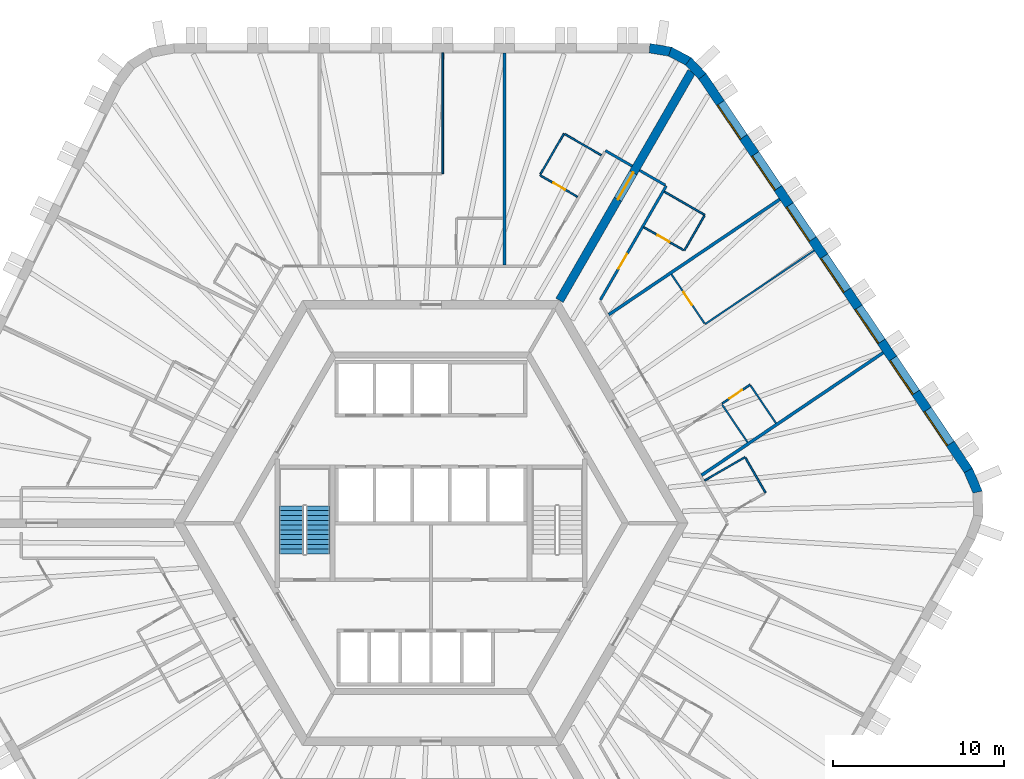
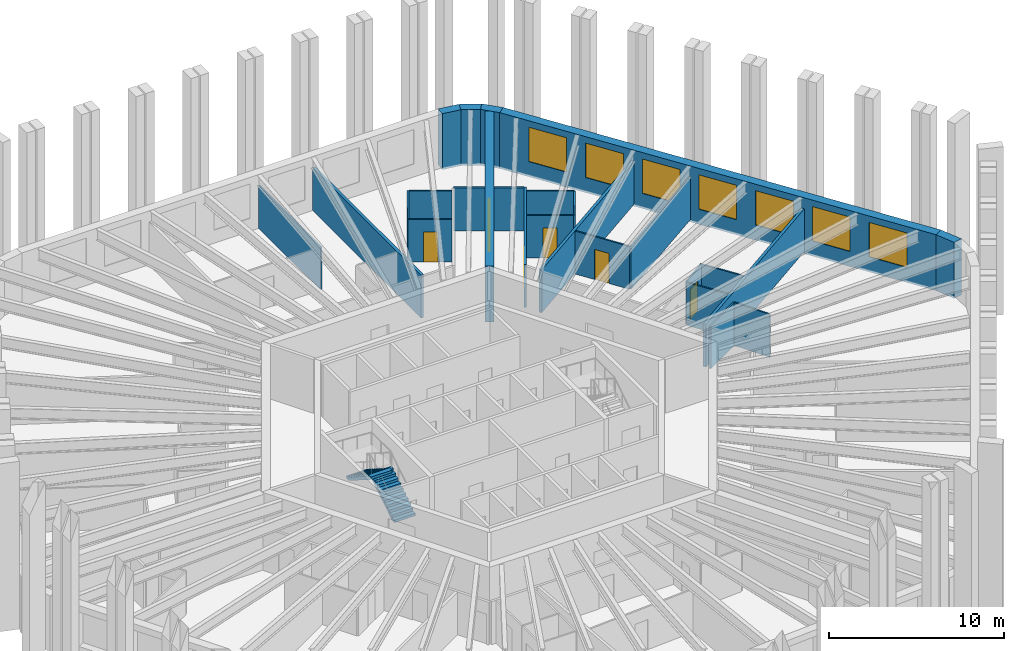
# One storey, part 9 of 11: 26 walls, 7 windows, 6 doors, 2 stair flights, 13 openings, 1 element without a shape of its own.
"""IFC4 building model written with IfcOpenShell, lengths in metres."""

from ifc_helpers import new_model, si_unit, direction, frame, frame_2d, origin, place, context, subcontext, project, spatial, polyline, rectangle, outline, extrude, material, layer, layer_set, type_object, element, fill, aggregate, save


model = new_model("IFC4")

# Units and contexts
model_context = context("Model", 3, precision=1e-05, world=origin(), true_north=direction((0.0, 1.0)))
body_context = subcontext(model_context, "Body", "Model", "MODEL_VIEW")
ifc_project = project(units=[si_unit("LENGTHUNIT", "METRE"), si_unit("AREAUNIT", "SQUARE_METRE"), si_unit("VOLUMEUNIT", "CUBIC_METRE"), si_unit("PLANEANGLEUNIT", "RADIAN"), si_unit("MASSUNIT", "GRAM", prefix="KILO")], contexts=[model_context])

# Site, building, storey
site_placement = place(None, origin())
site = spatial("IfcSite", under=ifc_project, at=site_placement, CompositionType="ELEMENT")
building_placement = place(site_placement, origin())
building = spatial("IfcBuilding", under=site, at=building_placement, Name="Tarnside Tower", CompositionType="ELEMENT")
storey_placement = place(building_placement, frame((0.0, 0.0, 183.89990234375)))
storey = spatial("IfcBuildingStorey", under=building, at=storey_placement, Name="L43", CompositionType="ELEMENT", Elevation=183.89990234375)

# Wall, opening, door
ifc_material_1 = material(Name="Gypsum board partition on steel studs", Category="steel")
ifc_layer_1 = layer(ifc_material_1, 0.10009765625)
ifc_layer_set_1 = layer_set([ifc_layer_1], Name="Bathroom wall 100")
wall_type_1 = type_object("IfcWallType", Name="Bathroom wall 100", PredefinedType="PARTITIONING", material=ifc_layer_set_1)
wall_1_placement = place(storey_placement, frame((8.546142578125, 19.052490234375, 0.0), z_axis=(0.0, 0.0, 1.0), x_axis=(-0.866039067339, 0.499976333282, 0.0)))
wall_1 = element("IfcWall", 1, at=wall_1_placement, inside=storey, type_object=wall_type_1, Name="Bathroom wall 14053", PredefinedType="PARTITIONING", context=body_context, shape_type="SweptSolid", body=[
    extrude(rectangle(XDim=2.52490234375, YDim=0.10009765625, at=frame_2d((1.262451171875, 0.0))), origin(), (0.0, 0.0, 1.0), 2.98779296875),
])
opening_1_placement = place(wall_1_placement, frame((0.824951171875, 0.0, 0.0)))
opening_1 = element("IfcOpeningElement", 2, at=opening_1_placement, cuts=wall_1, Name="Opening D-B1", PredefinedType="OPENING", context=body_context, shape_type="SweptSolid", body=[
    extrude(rectangle(XDim=0.800048828125, YDim=2.10009765625, at=frame_2d((0.39990234375, 1.050048828125))), frame((0.0, 0.06005859375, 0.0), z_axis=(0.0, -1.0, 0.0), x_axis=(1.0, 0.0, 0.0)), (0.0, 0.0, 1.0), 0.1201171875),
])
ifc_material_2 = material(Name="Timber door leaf", Category="wood")
door_type_1 = type_object("IfcDoorType", Name="Bathroom door 800", OperationType="NOTDEFINED", PredefinedType="DOOR", material=ifc_material_2)
door_1_placement = place(opening_1_placement, origin())
door_1 = element("IfcDoor", 3, at=door_1_placement, inside=storey, type_object=door_type_1, Name="Bathroom door 14002", OperationType="SINGLE_SWING_RIGHT", OverallHeight=2.10009765625, OverallWidth=0.800048828125, PredefinedType="DOOR", context=body_context, shape_type="SweptSolid", body=[
    extrude(rectangle(XDim=0.800048828125, YDim=2.10009765625, at=frame_2d((0.39990234375, 1.050048828125))), frame((0.0, 0.02490234375, 0.0), z_axis=(0.0, -1.0, 0.0), x_axis=(1.0, 0.0, 0.0)), (0.0, 0.0, 1.0), 0.050048828125),
])
fill(opening_1, door_1)

# Walls
wall_2_placement = place(storey_placement, frame((6.384521484375, 20.358154296875, 0.0), z_axis=(0.0, 0.0, 1.0), x_axis=(0.499996545922, 0.866027397988, 0.0)))
element("IfcWall", 4, at=wall_2_placement, inside=storey, type_object=wall_type_1, Name="Bathroom wall 14054", PredefinedType="PARTITIONING", context=body_context, shape_type="SweptSolid", body=[
    extrude(rectangle(XDim=2.75, YDim=0.10009765625, at=frame_2d((1.375, 0.0))), origin(), (0.0, 0.0, 1.0), 2.98779296875),
])
wall_3_placement = place(storey_placement, frame((7.802734375, 22.71484375, 0.0), z_axis=(0.0, 0.0, 1.0), x_axis=(0.866006523861, -0.500032699561, 0.0)))
element("IfcWall", 5, at=wall_3_placement, inside=storey, type_object=wall_type_1, Name="Bathroom wall 14055", PredefinedType="PARTITIONING", context=body_context, shape_type="SweptSolid", body=[
    extrude(rectangle(XDim=2.474853515625, YDim=0.10009765625, at=frame_2d((1.2373046875, 0.0))), origin(), (0.0, 0.0, 1.0), 2.98779296875),
])
wall_4_placement = place(storey_placement, frame((15.972900390625, 2.484375, 0.0), z_axis=(0.0, 0.0, 1.0), x_axis=(0.866051307416, 0.49995513091, 0.0)))
element("IfcWall", 6, at=wall_4_placement, inside=storey, type_object=wall_type_1, Name="Bathroom wall 14114", PredefinedType="PARTITIONING", context=body_context, shape_type="SweptSolid", body=[
    extrude(rectangle(XDim=2.724853515625, YDim=0.10009765625, at=frame_2d((1.3623046875, 0.0))), origin(), (0.0, 0.0, 1.0), 2.98779296875),
])
wall_5_placement = place(storey_placement, frame((18.357666015625, 3.803466796875, 0.0), z_axis=(0.0, 0.0, 1.0), x_axis=(0.500016218704, -0.866016039709, 0.0)))
element("IfcWall", 7, at=wall_5_placement, inside=storey, type_object=wall_type_1, Name="Bathroom wall 14115", PredefinedType="PARTITIONING", context=body_context, shape_type="SweptSolid", body=[
    extrude(rectangle(XDim=2.35009765625, YDim=0.10009765625, at=frame_2d((1.175048828125, 0.0))), origin(), (0.0, 0.0, 1.0), 2.98779296875),
])
wall_6_placement = place(storey_placement, frame((18.482666015625, 4.713134765625, 0.0), z_axis=(0.0, 0.0, 1.0), x_axis=(-0.559140201119, 0.829073118303, 0.0)))
element("IfcWall", 8, at=wall_6_placement, inside=storey, type_object=wall_type_1, Name="Bathroom wall 14126", PredefinedType="PARTITIONING", context=body_context, shape_type="SweptSolid", body=[
    extrude(rectangle(XDim=2.659912109375, YDim=0.10009765625, at=frame_2d((1.330078125, 0.0))), origin(), (0.0, 0.0, 1.0), 2.98779296875),
])
wall_7_placement = place(storey_placement, frame((13.626708984375, 19.352294921875, 0.0), z_axis=(0.0, 0.0, 1.0), x_axis=(0.866012511928, -0.500022328685, 0.0)))
element("IfcWall", 9, at=wall_7_placement, inside=storey, type_object=wall_type_1, Name="Bathroom wall 14128", PredefinedType="PARTITIONING", context=body_context, shape_type="SweptSolid", body=[
    extrude(rectangle(XDim=2.72509765625, YDim=0.10009765625, at=frame_2d((1.362548828125, 0.0))), origin(), (0.0, 0.0, 1.0), 2.98779296875),
])
wall_8_placement = place(storey_placement, frame((15.961669921875, 17.946533203125, 0.0), z_axis=(0.0, 0.0, 1.0), x_axis=(-0.500016218704, -0.866016039709, 0.0)))
element("IfcWall", 10, at=wall_8_placement, inside=storey, type_object=wall_type_1, Name="Bathroom wall 14129", PredefinedType="PARTITIONING", context=body_context, shape_type="SweptSolid", body=[
    extrude(rectangle(XDim=2.35009765625, YDim=0.10009765625, at=frame_2d((1.175048828125, 0.0))), origin(), (0.0, 0.0, 1.0), 2.98779296875),
])

# Wall, opening, door
wall_9_placement = place(storey_placement, frame((14.743408203125, 15.936279296875, 0.0), z_axis=(0.0, 0.0, 1.0), x_axis=(-0.86604424267, 0.499967368674, 0.0)))
wall_9 = element("IfcWall", 11, at=wall_9_placement, inside=storey, type_object=wall_type_1, Name="Bathroom wall 14130", PredefinedType="PARTITIONING", context=body_context, shape_type="SweptSolid", body=[
    extrude(rectangle(XDim=2.675048828125, YDim=0.10009765625, at=frame_2d((1.33740234375, 0.0))), origin(), (0.0, 0.0, 1.0), 2.98779296875),
])
opening_2_placement = place(wall_9_placement, frame((0.949951171875, 0.0, 0.0)))
opening_2 = element("IfcOpeningElement", 12, at=opening_2_placement, cuts=wall_9, Name="Opening D-B1", PredefinedType="OPENING", context=body_context, shape_type="SweptSolid", body=[
    extrude(rectangle(XDim=0.800048828125, YDim=2.10009765625, at=frame_2d((0.39990234375, 1.050048828125))), frame((0.0, 0.06005859375, 0.0), z_axis=(0.0, -1.0, 0.0), x_axis=(1.0, 0.0, 0.0)), (0.0, 0.0, 1.0), 0.1201171875),
])
door_2_placement = place(opening_2_placement, origin())
door_2 = element("IfcDoor", 13, at=door_2_placement, inside=storey, type_object=door_type_1, Name="Bathroom door 14038", OperationType="SINGLE_SWING_RIGHT", OverallHeight=2.10009765625, OverallWidth=0.800048828125, PredefinedType="DOOR", context=body_context, shape_type="SweptSolid", body=[
    extrude(rectangle(XDim=0.800048828125, YDim=2.10009765625, at=frame_2d((0.39990234375, 1.050048828125))), frame((0.0, 0.02490234375, 0.0), z_axis=(0.0, -1.0, 0.0), x_axis=(1.0, 0.0, 0.0)), (0.0, 0.0, 1.0), 0.050048828125),
])
fill(opening_2, door_2)

ifc_material_3 = material(Name="Concrete C70/85", Category="concrete")
ifc_layer_2 = layer(ifc_material_3, 0.5)
ifc_layer_set_2 = layer_set([ifc_layer_2], Name="Core wall Z2 500 C70/85")
wall_type_2 = type_object("IfcWallType", Name="Core wall Z2 500 C70/85", PredefinedType="SHEAR", material=ifc_layer_set_2)
wall_10_placement = place(storey_placement, frame((7.505615234375, 13.0, -0.14990234375), z_axis=(0.0, 0.0, 1.0), x_axis=(0.499988271576, 0.866032175087, 0.0)))
wall_10 = element("IfcWall", 14, at=wall_10_placement, inside=storey, type_object=wall_type_2, Name="L43 spine wall 1", PredefinedType="SHEAR", context=body_context, shape_type="SweptSolid", body=[
    extrude(rectangle(XDim=15.423583984375, YDim=0.5, at=frame_2d((7.7119140625, 0.0))), origin(), (0.0, 0.0, 1.0), 3.89990234375),
])
opening_3_placement = place(wall_10_placement, frame((6.811767578125, 0.0, 0.14990234375)))
opening_3 = element("IfcOpeningElement", 15, at=opening_3_placement, cuts=wall_10, Name="Opening CD-SPN", PredefinedType="OPENING", context=body_context, shape_type="SweptSolid", body=[
    extrude(rectangle(XDim=1.800048828125, YDim=2.39990234375, at=frame_2d((0.89990234375, 1.199951171875))), frame((0.0, 0.260009765625, 0.0), z_axis=(0.0, -1.0, 0.0), x_axis=(1.0, 0.0, 0.0)), (0.0, 0.0, 1.0), 0.52001953125),
])
ifc_material_4 = material(Name="Steel fire door", Category="steel")
door_type_2 = type_object("IfcDoorType", Name="Spine passage double door FD60 1800x2400", OperationType="NOTDEFINED", PredefinedType="DOOR", material=ifc_material_4)
door_3_placement = place(opening_3_placement, origin())
door_3 = element("IfcDoor", 16, at=door_3_placement, inside=storey, type_object=door_type_2, Name="L43 spine passage door 1", OperationType="DOUBLE_DOOR_SINGLE_SWING", OverallHeight=2.39990234375, OverallWidth=1.800048828125, PredefinedType="DOOR", context=body_context, shape_type="SweptSolid", body=[
    extrude(rectangle(XDim=1.800048828125, YDim=2.39990234375, at=frame_2d((0.89990234375, 1.199951171875))), frame((0.0, 0.02490234375, 0.0), z_axis=(0.0, -1.0, 0.0), x_axis=(1.0, 0.0, 0.0)), (0.0, 0.0, 1.0), 0.050048828125),
])
fill(opening_3, door_3)

# Wall
ifc_layer_3 = layer(ifc_material_1, 0.14990234375)
ifc_layer_set_3 = layer_set([ifc_layer_3], Name="Corridor wall 150 EI 60")
wall_type_3 = type_object("IfcWallType", Name="Corridor wall 150 EI 60", PredefinedType="PARTITIONING", material=ifc_layer_set_3)
wall_11_placement = place(storey_placement, frame((11.744873046875, 20.8427734375, 0.0), z_axis=(0.0, 0.0, 1.0), x_axis=(-0.865989075817, 0.500062916607, 0.0)))
element("IfcWall", 17, at=wall_11_placement, inside=storey, type_object=wall_type_3, Name="Corridor wall 14003", PredefinedType="PARTITIONING", context=body_context, shape_type="SweptSolid", body=[
    extrude(rectangle(XDim=1.800048828125, YDim=0.14990234375, at=frame_2d((0.89990234375, 0.0))), origin(), (0.0, 0.0, 1.0), 2.98779296875),
])

# Wall, opening, door
wall_12_placement = place(storey_placement, frame((9.88720703125, 13.02490234375, 0.0), z_axis=(0.0, 0.0, 1.0), x_axis=(0.499985955615, 0.866033512162, 0.0)))
wall_12 = element("IfcWall", 18, at=wall_12_placement, inside=storey, type_object=wall_type_3, Name="Corridor wall 14049", PredefinedType="PARTITIONING", context=body_context, shape_type="SweptSolid", body=[
    extrude(rectangle(XDim=7.699462890625, YDim=0.14990234375, at=frame_2d((3.849609375, 0.0))), origin(), (0.0, 0.0, 1.0), 2.98779296875),
])
opening_4_placement = place(wall_12_placement, frame((2.1064453125, 0.0, 0.0)))
opening_4 = element("IfcOpeningElement", 19, at=opening_4_placement, cuts=wall_12, Name="Opening D-E1", PredefinedType="OPENING", context=body_context, shape_type="SweptSolid", body=[
    extrude(rectangle(XDim=1.0, YDim=2.10009765625, at=frame_2d((0.5, 1.050048828125))), frame((0.0, 0.0849609375, 0.0), z_axis=(0.0, -1.0, 0.0), x_axis=(1.0, 0.0, 0.0)), (0.0, 0.0, 1.0), 0.169921875),
])
door_type_3 = type_object("IfcDoorType", Name="Unit entrance door 1000 FD30S", OperationType="NOTDEFINED", PredefinedType="DOOR", material=ifc_material_2)
door_4_placement = place(opening_4_placement, origin())
door_4 = element("IfcDoor", 20, at=door_4_placement, inside=storey, type_object=door_type_3, Name="Unit door 14037", OperationType="SINGLE_SWING_RIGHT", OverallHeight=2.10009765625, OverallWidth=1.0, PredefinedType="DOOR", context=body_context, shape_type="SweptSolid", body=[
    extrude(rectangle(XDim=1.0, YDim=2.10009765625, at=frame_2d((0.5, 1.050048828125))), frame((0.0, 0.02490234375, 0.0), z_axis=(0.0, -1.0, 0.0), x_axis=(1.0, 0.0, 0.0)), (0.0, 0.0, 1.0), 0.050048828125),
])
fill(opening_4, door_4)

# Walls
wall_13_placement = place(storey_placement, frame((13.671875, 19.73046875, 0.0), z_axis=(0.0, 0.0, 1.0), x_axis=(-0.866074815912, 0.499914405916, 0.0)))
element("IfcWall", 21, at=wall_13_placement, inside=storey, type_object=wall_type_3, Name="Corridor wall 14051", PredefinedType="PARTITIONING", context=body_context, shape_type="SweptSolid", body=[
    extrude(rectangle(XDim=1.724853515625, YDim=0.14990234375, at=frame_2d((0.8623046875, 0.0))), origin(), (0.0, 0.0, 1.0), 2.98779296875),
])
ifc_layer_4 = layer(ifc_material_1, 0.179931640625)
ifc_layer_set_4 = layer_set([ifc_layer_4], Name="Demising wall 180 EI 60")
wall_type_4 = type_object("IfcWallType", Name="Demising wall 180 EI 60", PredefinedType="PARTITIONING", material=ifc_layer_set_4)
wall_14_placement = place(storey_placement, frame((4.2822265625, 27.449951171875, 0.0), z_axis=(0.0, 0.0, 1.0), x_axis=(0.0, -1.0, 0.0)))
element("IfcWall", 22, at=wall_14_placement, inside=storey, type_object=wall_type_4, Name="Demising wall 14056", PredefinedType="PARTITIONING", context=body_context, shape_type="SweptSolid", body=[
    extrude(rectangle(XDim=12.375, YDim=0.179931640625, at=frame_2d((6.1875, 0.0))), origin(), (0.0, 0.0, 1.0), 2.98779296875),
])
wall_15_placement = place(storey_placement, frame((26.40185546875, 9.9462890625, 0.0), z_axis=(0.0, 0.0, 1.0), x_axis=(-0.829037771727, -0.559192608187, 0.0)))
element("IfcWall", 23, at=wall_15_placement, inside=storey, type_object=wall_type_4, Name="Demising wall 14117", PredefinedType="PARTITIONING", context=body_context, shape_type="SweptSolid", body=[
    extrude(rectangle(XDim=12.7939453125, YDim=0.179931640625, at=frame_2d((6.39697265625, 0.0))), origin(), (0.0, 0.0, 1.0), 2.98779296875),
])
wall_16_placement = place(storey_placement, frame((20.362548828125, 18.89990234375, 0.0), z_axis=(0.0, 0.0, 1.0), x_axis=(-0.829027307641, -0.559208121531, 0.0)))
element("IfcWall", 24, at=wall_16_placement, inside=storey, type_object=wall_type_4, Name="Demising wall 14125", PredefinedType="PARTITIONING", context=body_context, shape_type="SweptSolid", body=[
    extrude(rectangle(XDim=12.038818359375, YDim=0.179931640625, at=frame_2d((6.01953125, 0.0))), origin(), (0.0, 0.0, 1.0), 2.98779296875),
])
ifc_layer_5 = layer(ifc_material_1, 0.10009765625)
ifc_layer_set_5 = layer_set([ifc_layer_5], Name="Partition 100")
wall_type_5 = type_object("IfcWallType", Name="Partition 100", PredefinedType="PARTITIONING", material=ifc_layer_set_5)
wall_17_placement = place(storey_placement, frame((0.68212890625, 27.449951171875, 0.0), z_axis=(0.0, 0.0, 1.0), x_axis=(0.0, -1.0, 0.0)))
element("IfcWall", 25, at=wall_17_placement, inside=storey, type_object=wall_type_5, Name="Partition wall 14060", PredefinedType="PARTITIONING", context=body_context, shape_type="SweptSolid", body=[
    extrude(rectangle(XDim=7.050048828125, YDim=0.10009765625, at=frame_2d((3.52490234375, 0.0))), origin(), (0.0, 0.0, 1.0), 2.98779296875),
])

# Wall, opening, door
wall_18_placement = place(storey_placement, frame((17.0087890625, 6.98779296875, 0.0), z_axis=(0.0, 0.0, 1.0), x_axis=(0.828974932022, 0.559285760662, 0.0)))
wall_18 = element("IfcWall", 26, at=wall_18_placement, inside=storey, type_object=wall_type_5, Name="Partition wall 14121", PredefinedType="PARTITIONING", context=body_context, shape_type="SweptSolid", body=[
    extrude(rectangle(XDim=1.949951171875, YDim=0.10009765625, at=frame_2d((0.97509765625, 0.0))), origin(), (0.0, 0.0, 1.0), 2.98779296875),
])
opening_5_placement = place(wall_18_placement, frame((0.5, 0.0, 0.0)))
opening_5 = element("IfcOpeningElement", 27, at=opening_5_placement, cuts=wall_18, Name="Opening D-I1", PredefinedType="OPENING", context=body_context, shape_type="SweptSolid", body=[
    extrude(rectangle(XDim=0.89990234375, YDim=2.10009765625, at=frame_2d((0.449951171875, 1.050048828125))), frame((0.0, 0.06005859375, 0.0), z_axis=(0.0, -1.0, 0.0), x_axis=(1.0, 0.0, 0.0)), (0.0, 0.0, 1.0), 0.1201171875),
])
door_type_4 = type_object("IfcDoorType", Name="Internal door 900", OperationType="NOTDEFINED", PredefinedType="DOOR", material=ifc_material_2)
door_5_placement = place(opening_5_placement, origin())
door_5 = element("IfcDoor", 28, at=door_5_placement, inside=storey, type_object=door_type_4, Name="Internal door 14035", OperationType="SINGLE_SWING_RIGHT", OverallHeight=2.10009765625, OverallWidth=0.89990234375, PredefinedType="DOOR", context=body_context, shape_type="SweptSolid", body=[
    extrude(rectangle(XDim=0.89990234375, YDim=2.10009765625, at=frame_2d((0.449951171875, 1.050048828125))), frame((0.0, 0.02490234375, 0.0), z_axis=(0.0, -1.0, 0.0), x_axis=(1.0, 0.0, 0.0)), (0.0, 0.0, 1.0), 0.050048828125),
])
fill(opening_5, door_5)

# Walls
wall_19_placement = place(storey_placement, frame((18.6533203125, 8.036865234375, 0.0), z_axis=(0.0, 0.0, 1.0), x_axis=(0.559203284223, -0.829030570555, 0.0)))
element("IfcWall", 29, at=wall_19_placement, inside=storey, type_object=wall_type_5, Name="Partition wall 14122", PredefinedType="PARTITIONING", context=body_context, shape_type="SweptSolid", body=[
    extrude(rectangle(XDim=2.66015625, YDim=0.10009765625, at=frame_2d((1.330078125, 0.0))), origin(), (0.0, 0.0, 1.0), 2.98779296875),
])
wall_20_placement = place(storey_placement, frame((22.375732421875, 15.915283203125, 0.0), z_axis=(0.0, 0.0, 1.0), x_axis=(-0.829044752643, -0.559182258406, 0.0)))
element("IfcWall", 30, at=wall_20_placement, inside=storey, type_object=wall_type_5, Name="Partition wall 14123", PredefinedType="PARTITIONING", context=body_context, shape_type="SweptSolid", body=[
    extrude(rectangle(XDim=7.691650390625, YDim=0.10009765625, at=frame_2d((3.845703125, 0.0))), origin(), (0.0, 0.0, 1.0), 2.98779296875),
])

# Wall, opening, door
wall_21_placement = place(storey_placement, frame((15.97119140625, 11.65576171875, 0.0), z_axis=(0.0, 0.0, 1.0), x_axis=(-0.559202575539, 0.829031048581, 0.0)))
wall_21 = element("IfcWall", 31, at=wall_21_placement, inside=storey, type_object=wall_type_5, Name="Partition wall 14124", PredefinedType="PARTITIONING", context=body_context, shape_type="SweptSolid", body=[
    extrude(rectangle(XDim=3.4599609375, YDim=0.10009765625, at=frame_2d((1.72998046875, 0.0))), origin(), (0.0, 0.0, 1.0), 2.98779296875),
])
opening_6_placement = place(wall_21_placement, frame((1.300048828125, 0.0, 0.0)))
opening_6 = element("IfcOpeningElement", 32, at=opening_6_placement, cuts=wall_21, Name="Opening D-I1", PredefinedType="OPENING", context=body_context, shape_type="SweptSolid", body=[
    extrude(rectangle(XDim=0.89990234375, YDim=2.10009765625, at=frame_2d((0.449951171875, 1.050048828125))), frame((0.0, 0.06005859375, 0.0), z_axis=(0.0, -1.0, 0.0), x_axis=(1.0, 0.0, 0.0)), (0.0, 0.0, 1.0), 0.1201171875),
])
door_6_placement = place(opening_6_placement, origin())
door_6 = element("IfcDoor", 33, at=door_6_placement, inside=storey, type_object=door_type_4, Name="Internal door 14036", OperationType="SINGLE_SWING_LEFT", OverallHeight=2.10009765625, OverallWidth=0.89990234375, PredefinedType="DOOR", context=body_context, shape_type="SweptSolid", body=[
    extrude(rectangle(XDim=0.89990234375, YDim=2.10009765625, at=frame_2d((0.449951171875, 1.050048828125))), frame((0.0, 0.02490234375, 0.0), z_axis=(0.0, -1.0, 0.0), x_axis=(1.0, 0.0, 0.0)), (0.0, 0.0, 1.0), 0.050048828125),
])
fill(opening_6, door_6)

# Wall
ifc_material_5 = material(Name="Facing brick", Category="masonry")
ifc_layer_6 = layer(ifc_material_5, 0.10205078125)
ifc_material_6 = material(Name="Concrete C60/75 precast", Category="concrete")
ifc_layer_7 = layer(ifc_material_6, 0.347900390625)
ifc_material_7 = material(Name="Mineral wool insulation")
ifc_layer_8 = layer(ifc_material_7, 0.10009765625)
ifc_layer_set_6 = layer_set([ifc_layer_6, ifc_layer_7, ifc_layer_8], Name="Tube wall 550 brick faced")
wall_type_6 = type_object("IfcWallType", Name="Tube wall 550 brick faced", PredefinedType="SOLIDWALL", material=ifc_layer_set_6)
wall_22_placement = place(storey_placement, frame((31.91748046875, 1.804443359375, -0.14990234375), z_axis=(0.0, 0.0, 1.0), x_axis=(-0.396225741392, 0.918153125496, 0.0)))
element("IfcWall", 34, at=wall_22_placement, inside=storey, type_object=wall_type_6, Name="Tube wall L43 F5 chord 19", PredefinedType="SOLIDWALL", context=body_context, shape_type="SweptSolid", body=[
    extrude(outline(polyline([(-0.0517578125, -0.27490234375), (1.404541015625, -0.27490234375), (1.353271484375, 0.27490234375), (0.0517578125, 0.27490234375), (-0.0517578125, -0.27490234375)])), origin(), (0.0, 0.0, 1.0), 3.89990234375),
])

# Wall, openings, windows
wall_23_placement = place(storey_placement, frame((31.37109375, 3.070556640625, -0.14990234375), z_axis=(0.0, 0.0, 1.0), x_axis=(-0.559189891278, 0.829039604297, 0.0)))
wall_23 = element("IfcWall", 35, at=wall_23_placement, inside=storey, type_object=wall_type_6, Name="Tube wall L43 F6 flush 20", PredefinedType="SOLIDWALL", context=body_context, shape_type="SweptSolid", body=[
    extrude(outline(polyline([(-0.025634765625, -0.27490234375), (27.780517578125, -0.27490234375), (27.735595703125, 0.27490234375), (0.025634765625, 0.27490234375), (-0.025634765625, -0.27490234375)])), origin(), (0.0, 0.0, 1.0), 3.89990234375),
])
opening_7_placement = place(wall_23_placement, frame((1.87890625, 0.0, 1.050048828125)))
opening_7 = element("IfcOpeningElement", 36, at=opening_7_placement, cuts=wall_23, Name="Opening WH", PredefinedType="OPENING", context=body_context, shape_type="SweptSolid", body=[
    extrude(rectangle(XDim=2.39990234375, YDim=2.39990234375, at=frame_2d((1.199951171875, 1.199951171875))), frame((0.0, 0.28515625, 0.0), z_axis=(0.0, -1.0, 0.0), x_axis=(1.0, 0.0, 0.0)), (0.0, 0.0, 1.0), 0.570068359375),
])
opening_8_placement = place(wall_23_placement, frame((5.47900390625, 0.0, 1.050048828125)))
opening_8 = element("IfcOpeningElement", 37, at=opening_8_placement, cuts=wall_23, Name="Opening WH", PredefinedType="OPENING", context=body_context, shape_type="SweptSolid", body=[
    extrude(rectangle(XDim=2.39990234375, YDim=2.39990234375, at=frame_2d((1.199951171875, 1.199951171875))), frame((0.0, 0.28515625, 0.0), z_axis=(0.0, -1.0, 0.0), x_axis=(1.0, 0.0, 0.0)), (0.0, 0.0, 1.0), 0.570068359375),
])
opening_9_placement = place(wall_23_placement, frame((9.078857421875, 0.0, 1.050048828125)))
opening_9 = element("IfcOpeningElement", 38, at=opening_9_placement, cuts=wall_23, Name="Opening WH", PredefinedType="OPENING", context=body_context, shape_type="SweptSolid", body=[
    extrude(rectangle(XDim=2.39990234375, YDim=2.39990234375, at=frame_2d((1.199951171875, 1.199951171875))), frame((0.0, 0.28515625, 0.0), z_axis=(0.0, -1.0, 0.0), x_axis=(1.0, 0.0, 0.0)), (0.0, 0.0, 1.0), 0.570068359375),
])
opening_10_placement = place(wall_23_placement, frame((12.678955078125, 0.0, 1.050048828125)))
opening_10 = element("IfcOpeningElement", 39, at=opening_10_placement, cuts=wall_23, Name="Opening WH", PredefinedType="OPENING", context=body_context, shape_type="SweptSolid", body=[
    extrude(rectangle(XDim=2.39990234375, YDim=2.39990234375, at=frame_2d((1.199951171875, 1.199951171875))), frame((0.0, 0.28515625, 0.0), z_axis=(0.0, -1.0, 0.0), x_axis=(1.0, 0.0, 0.0)), (0.0, 0.0, 1.0), 0.570068359375),
])
opening_11_placement = place(wall_23_placement, frame((16.27880859375, 0.0, 1.050048828125)))
opening_11 = element("IfcOpeningElement", 40, at=opening_11_placement, cuts=wall_23, Name="Opening WH", PredefinedType="OPENING", context=body_context, shape_type="SweptSolid", body=[
    extrude(rectangle(XDim=2.39990234375, YDim=2.39990234375, at=frame_2d((1.199951171875, 1.199951171875))), frame((0.0, 0.28515625, 0.0), z_axis=(0.0, -1.0, 0.0), x_axis=(1.0, 0.0, 0.0)), (0.0, 0.0, 1.0), 0.570068359375),
])
opening_12_placement = place(wall_23_placement, frame((19.87890625, 0.0, 1.050048828125)))
opening_12 = element("IfcOpeningElement", 41, at=opening_12_placement, cuts=wall_23, Name="Opening WH", PredefinedType="OPENING", context=body_context, shape_type="SweptSolid", body=[
    extrude(rectangle(XDim=2.39990234375, YDim=2.39990234375, at=frame_2d((1.199951171875, 1.199951171875))), frame((0.0, 0.28515625, 0.0), z_axis=(0.0, -1.0, 0.0), x_axis=(1.0, 0.0, 0.0)), (0.0, 0.0, 1.0), 0.570068359375),
])
opening_13_placement = place(wall_23_placement, frame((23.47900390625, 0.0, 1.050048828125)))
opening_13 = element("IfcOpeningElement", 42, at=opening_13_placement, cuts=wall_23, Name="Opening WH", PredefinedType="OPENING", context=body_context, shape_type="SweptSolid", body=[
    extrude(rectangle(XDim=2.39990234375, YDim=2.39990234375, at=frame_2d((1.199951171875, 1.199951171875))), frame((0.0, 0.28515625, 0.0), z_axis=(0.0, -1.0, 0.0), x_axis=(1.0, 0.0, 0.0)), (0.0, 0.0, 1.0), 0.570068359375),
])
ifc_material_8 = material(Name="Aluminium-framed double glazing", Category="aluminium")
window_type = type_object("IfcWindowType", Name="Hotel window 2400 x 2400", PartitioningType="DOUBLE_PANEL_VERTICAL", PredefinedType="WINDOW", material=ifc_material_8)
window_1_placement = place(opening_7_placement, frame((0.0, 0.205078125, 0.0)))
window_1 = element("IfcWindow", 43, at=window_1_placement, inside=storey, type_object=window_type, Name="E.WN.L43.F6.00", OverallHeight=2.39990234375, OverallWidth=2.39990234375, PartitioningType="DOUBLE_PANEL_VERTICAL", PredefinedType="WINDOW", context=body_context, shape_type="SweptSolid", body=[
    extrude(rectangle(XDim=2.39990234375, YDim=2.39990234375, at=frame_2d((1.199951171875, 1.199951171875))), frame((0.0, 0.030029296875, 0.0), z_axis=(0.0, -1.0, 0.0), x_axis=(1.0, 0.0, 0.0)), (0.0, 0.0, 1.0), 0.06005859375),
])
fill(opening_7, window_1)
window_2_placement = place(opening_8_placement, frame((0.0, 0.205078125, 0.0)))
window_2 = element("IfcWindow", 44, at=window_2_placement, inside=storey, type_object=window_type, Name="E.WN.L43.F6.01", OverallHeight=2.39990234375, OverallWidth=2.39990234375, PartitioningType="DOUBLE_PANEL_VERTICAL", PredefinedType="WINDOW", context=body_context, shape_type="SweptSolid", body=[
    extrude(rectangle(XDim=2.39990234375, YDim=2.39990234375, at=frame_2d((1.199951171875, 1.199951171875))), frame((0.0, 0.030029296875, 0.0), z_axis=(0.0, -1.0, 0.0), x_axis=(1.0, 0.0, 0.0)), (0.0, 0.0, 1.0), 0.06005859375),
])
fill(opening_8, window_2)
window_3_placement = place(opening_9_placement, frame((0.0, 0.205078125, 0.0)))
window_3 = element("IfcWindow", 45, at=window_3_placement, inside=storey, type_object=window_type, Name="E.WN.L43.F6.02", OverallHeight=2.39990234375, OverallWidth=2.39990234375, PartitioningType="DOUBLE_PANEL_VERTICAL", PredefinedType="WINDOW", context=body_context, shape_type="SweptSolid", body=[
    extrude(rectangle(XDim=2.39990234375, YDim=2.39990234375, at=frame_2d((1.199951171875, 1.199951171875))), frame((0.0, 0.030029296875, 0.0), z_axis=(0.0, -1.0, 0.0), x_axis=(1.0, 0.0, 0.0)), (0.0, 0.0, 1.0), 0.06005859375),
])
fill(opening_9, window_3)
window_4_placement = place(opening_10_placement, frame((0.0, 0.205078125, 0.0)))
window_4 = element("IfcWindow", 46, at=window_4_placement, inside=storey, type_object=window_type, Name="E.WN.L43.F6.03", OverallHeight=2.39990234375, OverallWidth=2.39990234375, PartitioningType="DOUBLE_PANEL_VERTICAL", PredefinedType="WINDOW", context=body_context, shape_type="SweptSolid", body=[
    extrude(rectangle(XDim=2.39990234375, YDim=2.39990234375, at=frame_2d((1.199951171875, 1.199951171875))), frame((0.0, 0.030029296875, 0.0), z_axis=(0.0, -1.0, 0.0), x_axis=(1.0, 0.0, 0.0)), (0.0, 0.0, 1.0), 0.06005859375),
])
fill(opening_10, window_4)
window_5_placement = place(opening_11_placement, frame((0.0, 0.205078125, 0.0)))
window_5 = element("IfcWindow", 47, at=window_5_placement, inside=storey, type_object=window_type, Name="E.WN.L43.F6.04", OverallHeight=2.39990234375, OverallWidth=2.39990234375, PartitioningType="DOUBLE_PANEL_VERTICAL", PredefinedType="WINDOW", context=body_context, shape_type="SweptSolid", body=[
    extrude(rectangle(XDim=2.39990234375, YDim=2.39990234375, at=frame_2d((1.199951171875, 1.199951171875))), frame((0.0, 0.030029296875, 0.0), z_axis=(0.0, -1.0, 0.0), x_axis=(1.0, 0.0, 0.0)), (0.0, 0.0, 1.0), 0.06005859375),
])
fill(opening_11, window_5)
window_6_placement = place(opening_12_placement, frame((0.0, 0.205078125, 0.0)))
window_6 = element("IfcWindow", 48, at=window_6_placement, inside=storey, type_object=window_type, Name="E.WN.L43.F6.05", OverallHeight=2.39990234375, OverallWidth=2.39990234375, PartitioningType="DOUBLE_PANEL_VERTICAL", PredefinedType="WINDOW", context=body_context, shape_type="SweptSolid", body=[
    extrude(rectangle(XDim=2.39990234375, YDim=2.39990234375, at=frame_2d((1.199951171875, 1.199951171875))), frame((0.0, 0.030029296875, 0.0), z_axis=(0.0, -1.0, 0.0), x_axis=(1.0, 0.0, 0.0)), (0.0, 0.0, 1.0), 0.06005859375),
])
fill(opening_12, window_6)
window_7_placement = place(opening_13_placement, frame((0.0, 0.205078125, 0.0)))
window_7 = element("IfcWindow", 49, at=window_7_placement, inside=storey, type_object=window_type, Name="E.WN.L43.F6.06", OverallHeight=2.39990234375, OverallWidth=2.39990234375, PartitioningType="DOUBLE_PANEL_VERTICAL", PredefinedType="WINDOW", context=body_context, shape_type="SweptSolid", body=[
    extrude(rectangle(XDim=2.39990234375, YDim=2.39990234375, at=frame_2d((1.199951171875, 1.199951171875))), frame((0.0, 0.030029296875, 0.0), z_axis=(0.0, -1.0, 0.0), x_axis=(1.0, 0.0, 0.0)), (0.0, 0.0, 1.0), 0.06005859375),
])
fill(opening_13, window_7)

# Walls
wall_24_placement = place(storey_placement, frame((15.84912109375, 26.0830078125, -0.14990234375), z_axis=(0.0, 0.0, 1.0), x_axis=(-0.686196220404, 0.727416488061, 0.0)))
element("IfcWall", 50, at=wall_24_placement, inside=storey, type_object=wall_type_6, Name="Tube wall L43 F6 chord 21", PredefinedType="SOLIDWALL", context=body_context, shape_type="SweptSolid", body=[
    extrude(outline(polyline([(-0.0224609375, -0.27490234375), (1.25341796875, -0.27490234375), (1.1630859375, 0.27490234375), (0.0224609375, 0.27490234375), (-0.0224609375, -0.27490234375)])), origin(), (0.0, 0.0, 1.0), 3.89990234375),
])
wall_25_placement = place(storey_placement, frame((15.02001953125, 26.9619140625, -0.14990234375), z_axis=(0.0, 0.0, 1.0), x_axis=(-0.882950818639, 0.469465495926, 0.0)))
element("IfcWall", 51, at=wall_25_placement, inside=storey, type_object=wall_type_6, Name="Tube wall L43 F6 chord 22", PredefinedType="SOLIDWALL", context=body_context, shape_type="SweptSolid", body=[
    extrude(outline(polyline([(-0.045166015625, -0.27490234375), (1.253173828125, -0.27490234375), (1.162841796875, 0.27490234375), (0.045166015625, 0.27490234375), (-0.045166015625, -0.27490234375)])), origin(), (0.0, 0.0, 1.0), 3.89990234375),
])
wall_26_placement = place(storey_placement, frame((13.953369140625, 27.529052734375, -0.14990234375), z_axis=(0.0, 0.0, 1.0), x_axis=(-0.986751945211, 0.162236243244, 0.0)))
element("IfcWall", 52, at=wall_26_placement, inside=storey, type_object=wall_type_6, Name="Tube wall L43 F6 chord 23", PredefinedType="SOLIDWALL", context=body_context, shape_type="SweptSolid", body=[
    extrude(outline(polyline([(-0.045166015625, -0.27490234375), (1.23095703125, -0.27490234375), (1.18603515625, 0.27490234375), (0.045166015625, 0.27490234375), (-0.045166015625, -0.27490234375)])), origin(), (0.0, 0.0, 1.0), 3.89990234375),
])

# Stair, stair flights
ifc_material_9 = material(Name="Concrete C40/50", Category="concrete")
stair_type = type_object("IfcStairType", Name="Exit stair 1400 clear", PredefinedType="HALF_TURN_STAIR", material=ifc_material_9)
stair_placement = place(storey_placement, origin())
stair = element("IfcStair", 53, at=stair_placement, inside=storey, type_object=stair_type, Name="L43 Exit stair 2", PredefinedType="HALF_TURN_STAIR")
stair_flight_type = type_object("IfcStairFlightType", Name="Exit stair flight 1400", PredefinedType="STRAIGHT", material=ifc_material_9)
stair_flight_1_placement = place(storey_placement, frame((-6.60009765625, -1.800048828125, 0.0), z_axis=(0.0, 0.0, 1.0), x_axis=(0.0, 1.0, 0.0)))
stair_flight_1 = element("IfcStairFlight", 54, at=stair_flight_1_placement, type_object=stair_flight_type, Name="ST2 flight 1", NumberOfRisers=11, NumberOfTreads=10, PredefinedType="STRAIGHT", RiserHeight=0.177272727, TreadLength=0.28, context=body_context, shape_type="SweptSolid", body=[
    extrude(outline(polyline([(0.0, 0.0), (0.0, 0.17724609375), (0.280029296875, 0.17724609375), (0.280029296875, 0.3544921875), (0.56005859375, 0.3544921875), (0.56005859375, 0.53173828125), (0.840087890625, 0.53173828125), (0.840087890625, 0.708984375), (1.1201171875, 0.708984375), (1.1201171875, 0.886474609375), (1.39990234375, 0.886474609375), (1.39990234375, 1.063720703125), (1.679931640625, 1.063720703125), (1.679931640625, 1.240966796875), (1.9599609375, 1.240966796875), (1.9599609375, 1.418212890625), (2.239990234375, 1.418212890625), (2.239990234375, 1.595458984375), (2.52001953125, 1.595458984375), (2.52001953125, 1.772705078125), (2.800048828125, 1.772705078125), (2.800048828125, 1.949951171875), (2.800048828125, 1.59521484375), (0.2802734375, 0.0), (0.0, 0.0)])), frame((0.0, 0.699951171875, 0.0), z_axis=(0.0, -1.0, 0.0), x_axis=(1.0, 0.0, 0.0)), (0.0, 0.0, 1.0), 1.39990234375),
])
stair_flight_2_placement = place(storey_placement, frame((-8.14990234375, 1.0, 1.9501953125), z_axis=(0.0, 0.0, 1.0), x_axis=(0.0, -1.0, 0.0)))
stair_flight_2 = element("IfcStairFlight", 55, at=stair_flight_2_placement, type_object=stair_flight_type, Name="ST2 flight 2", NumberOfRisers=11, NumberOfTreads=10, PredefinedType="STRAIGHT", RiserHeight=0.177272727, TreadLength=0.28, context=body_context, shape_type="SweptSolid", body=[
    extrude(outline(polyline([(0.0, 0.0), (0.0, 0.17724609375), (0.280029296875, 0.17724609375), (0.280029296875, 0.3544921875), (0.56005859375, 0.3544921875), (0.56005859375, 0.53173828125), (0.840087890625, 0.53173828125), (0.840087890625, 0.708984375), (1.1201171875, 0.708984375), (1.1201171875, 0.886474609375), (1.39990234375, 0.886474609375), (1.39990234375, 1.063720703125), (1.679931640625, 1.063720703125), (1.679931640625, 1.240966796875), (1.9599609375, 1.240966796875), (1.9599609375, 1.418212890625), (2.239990234375, 1.418212890625), (2.239990234375, 1.595458984375), (2.52001953125, 1.595458984375), (2.52001953125, 1.772705078125), (2.800048828125, 1.772705078125), (2.800048828125, 1.949951171875), (2.800048828125, 1.59521484375), (0.2802734375, 0.0), (0.0, 0.0)])), frame((0.0, 0.699951171875, 0.0), z_axis=(0.0, -1.0, 0.0), x_axis=(1.0, 0.0, 0.0)), (0.0, 0.0, 1.0), 1.39990234375),
])
aggregate(stair, [stair_flight_1, stair_flight_2])

save(model, "model.ifc")
